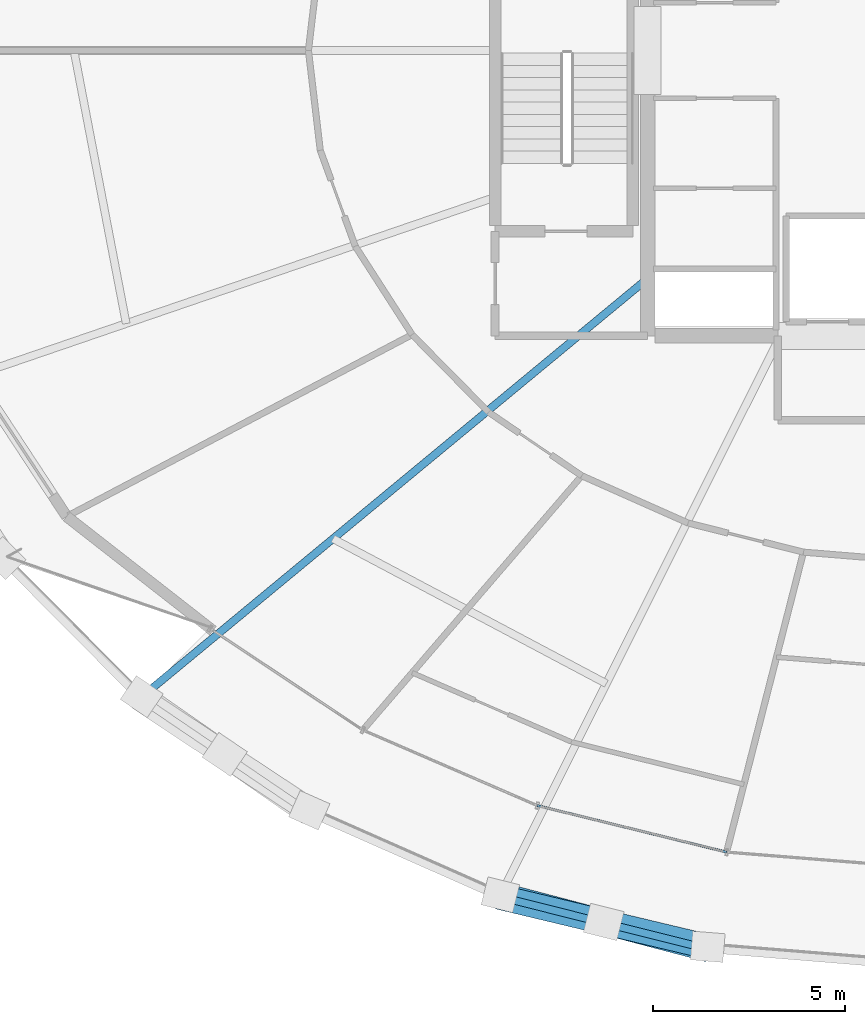
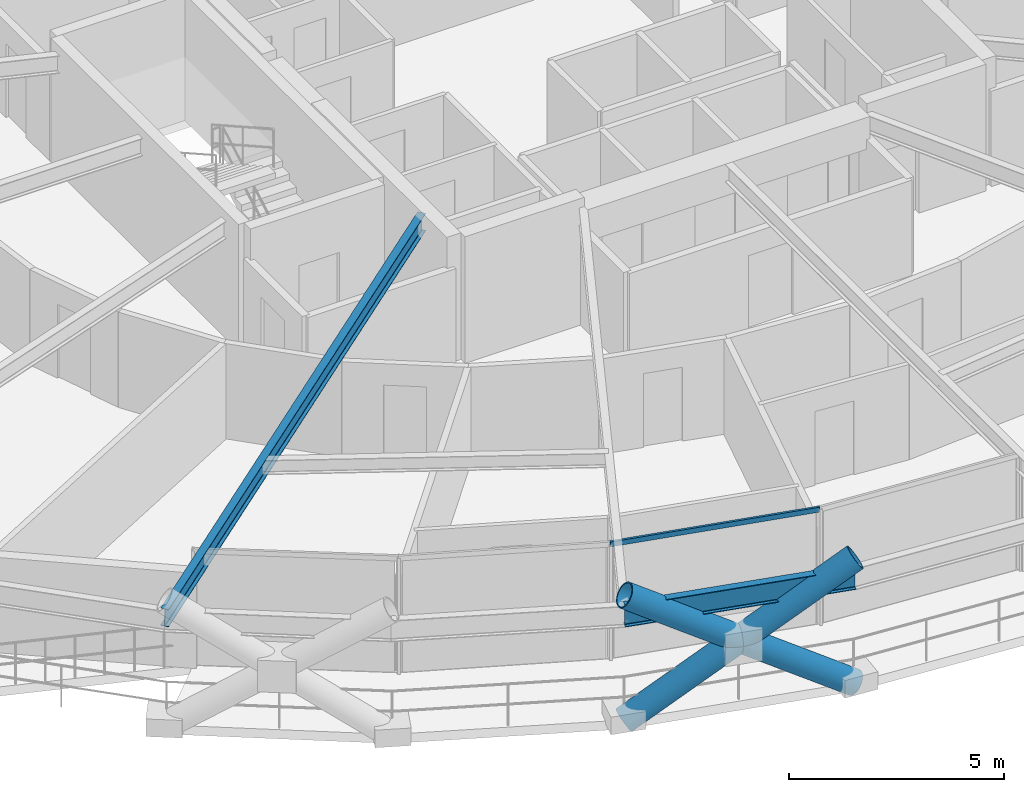
# One storey, part 3 of 21: 4 members, 2 beams, 1 element without a shape of its own.
"""IFC4 building model written with IfcOpenShell, lengths in metres."""

from ifc_helpers import new_model, si_unit, direction, frame, origin, origin_2d, place, context, subcontext, project, spatial, hollow_rectangle, hollow_circle, i_section, extrude, material, layer, layer_set, material_profile, profile_set, type_object, element, aggregate, save


model = new_model("IFC4")

# Units and contexts
model_context = context("Model", 3, precision=1e-05, world=origin(), true_north=direction((0.0, 1.0)))
body_context = subcontext(model_context, "Body", "Model", "MODEL_VIEW")
ifc_project = project(units=[si_unit("LENGTHUNIT", "METRE"), si_unit("AREAUNIT", "SQUARE_METRE"), si_unit("VOLUMEUNIT", "CUBIC_METRE"), si_unit("PLANEANGLEUNIT", "RADIAN"), si_unit("MASSUNIT", "GRAM", prefix="KILO")], contexts=[model_context])

# Site, building, storey
site_placement = place(None, origin())
site = spatial("IfcSite", under=ifc_project, at=site_placement, CompositionType="ELEMENT")
building_placement = place(site_placement, origin())
building = spatial("IfcBuilding", under=site, at=building_placement, Name="Veldorina Hangang Commons", CompositionType="ELEMENT")
storey_placement = place(building_placement, frame((0.0, 0.0, 66.39990234375)))
storey = spatial("IfcBuildingStorey", under=building, at=storey_placement, Name="L16", CompositionType="ELEMENT", Elevation=66.39990234375)

# Beams
ifc_material_1 = material(Name="Steel SM420-TMC", Category="steel")
ifc_material_profile_1 = material_profile(ifc_material_1, i_section(OverallWidth=0.199951171875, OverallDepth=0.5, WebThickness=0.010009765625, FlangeThickness=0.01611328125, FilletRadius=0.01611328125, at=origin_2d()), Name="H-500x200x10x16")
ifc_profile_set_1 = profile_set([ifc_material_profile_1], Name="Steel SM420-TMC")
beam_type_1 = type_object("IfcBeamType", Name="BM-FG500", PredefinedType="BEAM", material=ifc_profile_set_1)
beam_1_placement = place(storey_placement, frame((24.800048828125, 18.04541015625, 3.090087890625), z_axis=(-0.770611853729, -0.637304770806, 0.0), x_axis=(0.637304770806, -0.770611853729, 0.0)))
element("IfcBeam", 1, at=beam_1_placement, inside=storey, type_object=beam_type_1, Name="L16 radial floor girder 11", PredefinedType="BEAM", context=body_context, shape_type="SweptSolid", body=[
    extrude(i_section(OverallWidth=0.199951171875, OverallDepth=0.5, WebThickness=0.010009765625, FlangeThickness=0.01611328125, FilletRadius=0.01611328125, at=origin_2d()), origin(), (0.0, 0.0, 1.0), 17.180419921875),
])
ifc_material_profile_2 = material_profile(ifc_material_1, i_section(OverallWidth=0.199951171875, OverallDepth=0.60009765625, WebThickness=0.010986328125, FlangeThickness=0.01708984375, FilletRadius=0.01806640625, at=origin_2d()), Name="H-600x200x11x17")
ifc_profile_set_2 = profile_set([ifc_material_profile_2], Name="Steel SM420-TMC")
beam_type_2 = type_object("IfcBeamType", Name="BM-RB600", PredefinedType="BEAM", material=ifc_profile_set_2)
beam_2_placement = place(storey_placement, frame((20.938232421875, 1.913818359375, 3.0400390625), z_axis=(0.969944380148, -0.243326733879, 0.0), x_axis=(0.243326733879, 0.969944380148, 0.0)))
element("IfcBeam", 2, at=beam_2_placement, inside=storey, type_object=beam_type_2, Name="L16 perimeter hoop ring beam 22", PredefinedType="BEAM", context=body_context, shape_type="SweptSolid", body=[
    extrude(i_section(OverallWidth=0.199951171875, OverallDepth=0.60009765625, WebThickness=0.010986328125, FlangeThickness=0.01708984375, FilletRadius=0.01806640625, at=origin_2d()), origin(), (0.0, 0.0, 1.0), 5.590576171875),
])

# Curtain wall, member
ifc_material_2 = material(Name="Glass Low-E Triple IGU", Category="glass")
ifc_layer = layer(ifc_material_2, 0.179931640625)
ifc_layer_set = layer_set([ifc_layer], Name="Glass Low-E Triple IGU")
curtain_wall_type = type_object("IfcCurtainWallType", Name="CW-SYS-Z1", PredefinedType="NOTDEFINED", material=ifc_layer_set)
curtain_wall_placement = place(storey_placement, origin())
curtain_wall = element("IfcCurtainWall", 3, at=curtain_wall_placement, inside=storey, type_object=curtain_wall_type, Name="L16 unitised curtain wall CW-L16-R1", PredefinedType="NOTDEFINED")
ifc_material_3 = material(Name="Aluminium Anodized AA6063-T6", Category="aluminium")
ifc_material_profile_3 = material_profile(ifc_material_3, hollow_rectangle(XDim=0.06005859375, YDim=0.139892578125, WallThickness=0.00341796875, at=origin_2d()), Name="ALU-RHS-140x60x3.5")
ifc_profile_set_3 = profile_set([ifc_material_profile_3], Name="Aluminium Anodized AA6063-T6")
member_type_1 = type_object("IfcMemberType", Name="CW-TRN-140", PredefinedType="USERDEFINED", material=ifc_profile_set_3)
member_1_placement = place(storey_placement, frame((21.92333984375, 4.292236328125, 3.260009765625), z_axis=(0.971108718592, -0.238637500561, 0.0), x_axis=(0.238637500561, 0.971108718592, 0.0)))
member_1 = element("IfcMember", 4, at=member_1_placement, type_object=member_type_1, Name="CW-L16-R1 facet 3 transom 1", ObjectType="TRANSOM", PredefinedType="USERDEFINED", context=body_context, shape_type="SweptSolid", body=[
    extrude(hollow_rectangle(XDim=0.06005859375, YDim=0.139892578125, WallThickness=0.00341796875, at=origin_2d()), origin(), (0.0, 0.0, 1.0), 5.086669921875),
])
aggregate(curtain_wall, [member_1])

# Members
ifc_material_4 = material(Name="Steel SM460-TMC", Category="steel")
ifc_material_profile_4 = material_profile(ifc_material_4, hollow_circle(Radius=0.324951171875, WallThickness=0.031982421875, at=origin_2d()), Name="CHS-650x32")
ifc_profile_set_4 = profile_set([ifc_material_profile_4], Name="Steel SM460-TMC")
member_type_2 = type_object("IfcMemberType", Name="DG-CHS650", PredefinedType="BRACE", material=ifc_profile_set_4)
member_2_placement = place(storey_placement, frame((20.958984375, 1.964111328125, 0.0), z_axis=(0.812799541868, -0.213801778397, 0.541890860131), x_axis=(0.254389989856, 0.967101718053, 0.0)))
element("IfcMember", 5, at=member_2_placement, inside=storey, type_object=member_type_2, Name="L16 continuous perimeter diagrid brace 22", PredefinedType="BRACE", context=body_context, shape_type="SweptSolid", body=[
    extrude(hollow_circle(Radius=0.324951171875, WallThickness=0.031982421875, at=origin_2d()), origin(), (0.0, 0.0, 1.0), 6.6435546875),
])
member_3_placement = place(storey_placement, frame((26.371337890625, 0.606689453125, 0.0), z_axis=(-0.817737031462, 0.195133436567, 0.541506315115), x_axis=(-0.232109202766, -0.972689733672, 0.0)))
element("IfcMember", 6, at=member_3_placement, inside=storey, type_object=member_type_2, Name="L16 split perimeter diagrid lower brace 23", PredefinedType="BRACE", context=body_context, shape_type="SweptSolid", body=[
    extrude(hollow_circle(Radius=0.324951171875, WallThickness=0.031982421875, at=origin_2d()), origin(), (0.0, 0.0, 1.0), 3.320556640625),
])
member_4_placement = place(storey_placement, frame((23.656005859375, 1.254638671875, 1.798095703125), z_axis=(-0.817743825056, 0.195340133309, 0.54142152608), x_axis=(-0.232339974623, -0.972634636537, 0.0)))
element("IfcMember", 7, at=member_4_placement, inside=storey, type_object=member_type_2, Name="L16 split perimeter diagrid upper brace 23", PredefinedType="BRACE", context=body_context, shape_type="SweptSolid", body=[
    extrude(hollow_circle(Radius=0.324951171875, WallThickness=0.031982421875, at=origin_2d()), origin(), (0.0, 0.0, 1.0), 3.328369140625),
])

save(model, "model.ifc")
